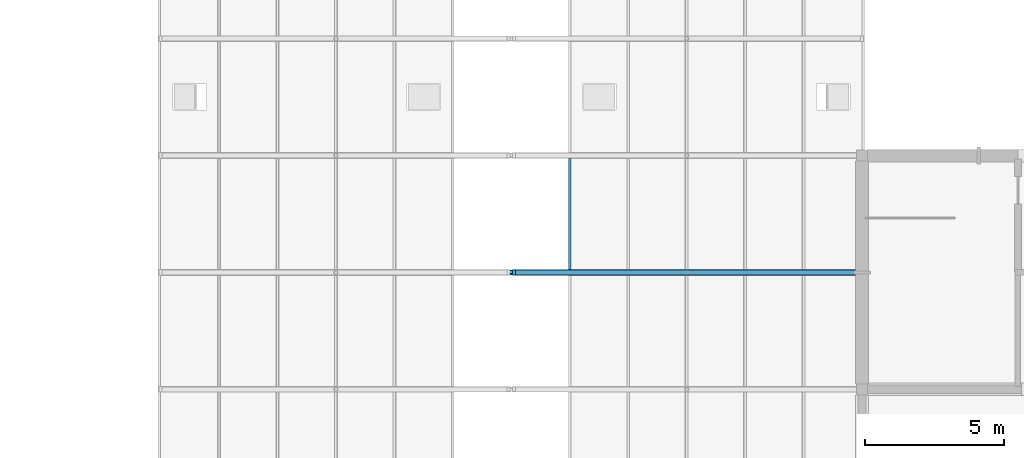
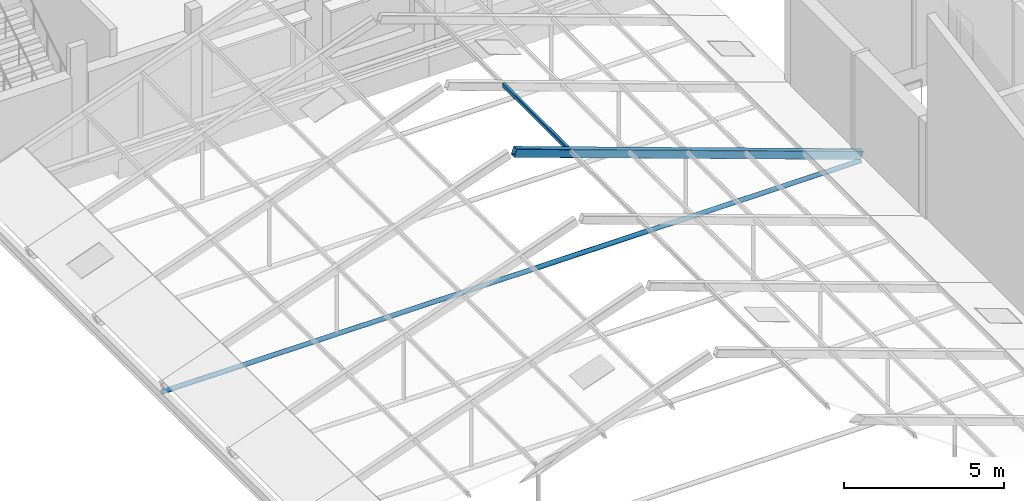
# One storey, part 66 of 116: 3 members.
"""IFC4 building model written with IfcOpenShell, lengths in metres."""

import ifcopenshell
import ifcopenshell.guid

model = None  # the IFC model being written
_history = None  # IfcOwnerHistory: only IFC2X3 demands one
_inside = {}  # id of a spatial element -> (the spatial element, [elements in it])
_under = {}  # id of a project, library or spatial element -> (it, [spatial elements below it])
_declared = {}  # id of a project -> (the project, [libraries it declares])
_typed = {}  # id of a type object -> (the type object, [elements of that type])
_made_of = {}  # id of a material, layer set ... -> (it, [elements and type objects made of it])


def new_model(schema):
    """Start an empty IFC model of exactly this schema.

    Asked for "IFC4X3", IfcOpenShell would pick the latest addendum, in which some entities
    have other attributes; the version numbers below select the first issue.
    IFC2X3 requires an IfcOwnerHistory on every rooted entity: one is made here for all.
    """
    global model, _history
    if schema == "IFC4X3":
        model = ifcopenshell.file(schema_version=(4, 3, 0, 0))
    else:
        model = ifcopenshell.file(schema=schema)
    _inside.clear()
    _under.clear()
    _declared.clear()
    _typed.clear()
    _made_of.clear()
    _history = None
    if model.schema == "IFC2X3":
        org = make("IfcOrganization", Name="unknown")
        user = make(
            "IfcPersonAndOrganization",
            ThePerson=make("IfcPerson", FamilyName="unknown"),
            TheOrganization=org,
        )
        app = make(
            "IfcApplication",
            ApplicationDeveloper=org,
            Version="unknown",
            ApplicationFullName="unknown",
            ApplicationIdentifier="unknown",
        )
        _history = make(
            "IfcOwnerHistory",
            OwningUser=user,
            OwningApplication=app,
            ChangeAction="ADDED",
            CreationDate=0,
        )
    return model


def make(cls, **values):
    """One entity of the class cls with the attributes given. An attribute that is None is left unset."""
    return model.create_entity(
        cls, **{name: value for name, value in values.items() if value is not None}
    )


def rooted(cls, **values):
    """An entity with a GlobalId (a new one), such as an element, a storey or a relation."""
    return make(cls, GlobalId=ifcopenshell.guid.new(), OwnerHistory=_history, **values)


def si_unit(unit_type, name, prefix=None):
    """IfcSIUnit, for example si_unit("LENGTHUNIT", "METRE", prefix="MILLI")."""
    return make("IfcSIUnit", UnitType=unit_type, Prefix=prefix, Name=name)


def assignment(units):
    """IfcUnitAssignment: the units of a project."""
    return None if units is None else make("IfcUnitAssignment", Units=units)


def point(xyz):
    """IfcCartesianPoint."""
    return None if xyz is None else make("IfcCartesianPoint", Coordinates=xyz)


def direction(xyz):
    """IfcDirection."""
    return None if xyz is None else make("IfcDirection", DirectionRatios=xyz)


def frame(location, z_axis=None, x_axis=None):
    """IfcAxis2Placement3D, a coordinate frame: its origin and axes. An axis left out is left unset."""
    return make(
        "IfcAxis2Placement3D",
        Location=point(location),
        Axis=direction(z_axis),
        RefDirection=direction(x_axis),
    )


def frame_2d(location, x_axis=None):
    """IfcAxis2Placement2D, a coordinate frame in the plane: its origin and x axis."""
    return make(
        "IfcAxis2Placement2D", Location=point(location), RefDirection=direction(x_axis)
    )


def origin():
    """The frame at (0, 0, 0) with its axes left unset."""
    return frame((0.0, 0.0, 0.0))


def origin_2d():
    """The frame at (0, 0) in the plane with its x axis left unset."""
    return frame_2d((0.0, 0.0))


def place(relative_to, where):
    """IfcLocalPlacement: puts the frame where relative to a parent placement (None: the world)."""
    return make(
        "IfcLocalPlacement", PlacementRelTo=relative_to, RelativePlacement=where
    )


def context(
    kind, dimensions, precision=None, world=None, true_north=None, identifier=None
):
    """IfcGeometricRepresentationContext, for example the 3D "Model" context."""
    return make(
        "IfcGeometricRepresentationContext",
        ContextIdentifier=identifier,
        ContextType=kind,
        CoordinateSpaceDimension=dimensions,
        Precision=precision,
        WorldCoordinateSystem=world,
        TrueNorth=true_north,
    )


def subcontext(parent, identifier, kind, view, scale=None):
    """IfcGeometricRepresentationSubContext, for example "Body" below "Model"."""
    return make(
        "IfcGeometricRepresentationSubContext",
        ContextIdentifier=identifier,
        ContextType=kind,
        ParentContext=parent,
        TargetScale=scale,
        TargetView=view,
    )


def project(units=None, contexts=None):
    """IfcProject with its units and contexts."""
    return rooted(
        "IfcProject",
        Name="project",
        RepresentationContexts=contexts,
        UnitsInContext=assignment(units),
    )


def spatial(cls, under=None, at=None, **own):
    """A site, building, storey or space (cls), placed at a placement, below another one or the project."""
    s = rooted(cls, ObjectPlacement=at, **own)
    if under is not None:
        _under.setdefault(under.id(), (under, []))[1].append(s)
    return s


def profile(cls, at=None, kind="AREA", **sizes):
    """A parametric profile (cls). Its sizes go by their IFC names, for example OverallWidth=200.0."""
    return make(cls, ProfileType=kind, Position=at, **sizes)


def hollow_rectangle(**sizes):
    """IfcRectangleHollowProfileDef."""
    return profile("IfcRectangleHollowProfileDef", **sizes)


def hollow_circle(**sizes):
    """IfcCircleHollowProfileDef."""
    return profile("IfcCircleHollowProfileDef", **sizes)


def extrude(swept, where, along, depth):
    """IfcExtrudedAreaSolid: the profile swept, set in the frame where, extruded along a direction by depth."""
    return make(
        "IfcExtrudedAreaSolid",
        SweptArea=swept,
        Position=where,
        ExtrudedDirection=direction(along),
        Depth=depth,
    )


def shape(context_of_items, identifier, shape_type, items):
    """IfcShapeRepresentation: the items that make up one representation, for example the "Body"."""
    return make(
        "IfcShapeRepresentation",
        ContextOfItems=context_of_items,
        RepresentationIdentifier=identifier,
        RepresentationType=shape_type,
        Items=items,
    )


def material(Name=None, Category=None):
    """IfcMaterial."""
    return make("IfcMaterial", Name=Name, Category=Category)


def material_profile(
    of_material, cross_section, Name=None, Category=None, Priority=None
):
    """IfcMaterialProfile: a cross section and its material."""
    return make(
        "IfcMaterialProfile",
        Name=Name,
        Material=of_material,
        Profile=cross_section,
        Priority=Priority,
        Category=Category,
    )


def profile_set(profiles, Name=None, composite=None):
    """IfcMaterialProfileSet."""
    return make(
        "IfcMaterialProfileSet",
        Name=Name,
        MaterialProfiles=profiles,
        CompositeProfile=composite,
    )


def made_of(thing, what):
    """Note that an element or type object is made of a material, layer set ...; save() writes the relation."""
    if what is not None:
        _made_of.setdefault(what.id(), (what, []))[1].append(thing)
    return thing


def type_object(cls, material=None, **own):
    """A type object (cls), such as IfcWallType, which elements share."""
    return made_of(rooted(cls, **own), material)


def element(
    cls,
    number,
    at=None,
    inside=None,
    cuts=None,
    type_object=None,
    material=None,
    context=None,
    identifier="Body",
    shape_type=None,
    held_by="IfcProductDefinitionShape",
    body=None,
    shapes=None,
    **own,
):
    """One element of the class cls, such as IfcWall. Its Tag is "e" and its number.

    at: its placement. inside: the storey or other place that contains it. cuts: it is an
    opening in that element (IfcRelVoidsElement). A single representation is given by context,
    identifier, shape_type and body (its items); several are given by shapes. held_by: the class
    of the entity that holds the representations. save() writes the other relations.
    """
    e = rooted(cls, Tag="e%d" % number, ObjectPlacement=at, **own)
    if body is not None:
        shapes = [shape(context, identifier, shape_type, body)]
    if shapes is not None:
        e.Representation = make(held_by, Representations=shapes)
    if inside is not None:
        _inside.setdefault(inside.id(), (inside, []))[1].append(e)
    if cuts is not None:
        rooted(
            "IfcRelVoidsElement", RelatingBuildingElement=cuts, RelatedOpeningElement=e
        )
    if type_object is not None:
        _typed.setdefault(type_object.id(), (type_object, []))[1].append(e)
    return made_of(e, material)


def aggregate(whole, parts):
    """IfcRelAggregates: a whole, such as a stair, and the parts it consists of."""
    return rooted("IfcRelAggregates", RelatingObject=whole, RelatedObjects=parts)


def save(model, path):
    """Write the relations noted so far, then the file.

    IfcRelAggregates (storeys below a building ...), IfcRelContainedInSpatialStructure (elements
    in a storey), IfcRelDefinesByType, IfcRelAssociatesMaterial and IfcRelDeclares: one each for
    every whole, place, type object, material and project.
    """
    for whole, parts in _under.values():
        aggregate(whole, parts)
    for where, things in _inside.values():
        rooted(
            "IfcRelContainedInSpatialStructure",
            RelatedElements=things,
            RelatingStructure=where,
        )
    for kind, things in _typed.values():
        rooted("IfcRelDefinesByType", RelatedObjects=things, RelatingType=kind)
    for what, things in _made_of.values():
        rooted("IfcRelAssociatesMaterial", RelatedObjects=things, RelatingMaterial=what)
    for by, libraries in _declared.values():
        rooted("IfcRelDeclares", RelatingContext=by, RelatedDefinitions=libraries)
    model.write(path)


model = new_model("IFC4")

# Units and contexts
model_context = context("Model", 3, precision=1e-05, world=origin(), true_north=direction((0.0, 1.0)))
body_context = subcontext(model_context, "Body", "Model", "MODEL_VIEW")
ifc_project = project(units=[si_unit("LENGTHUNIT", "METRE"), si_unit("AREAUNIT", "SQUARE_METRE"), si_unit("VOLUMEUNIT", "CUBIC_METRE"), si_unit("PLANEANGLEUNIT", "RADIAN"), si_unit("MASSUNIT", "GRAM", prefix="KILO")], contexts=[model_context])

# Site, building, storey
site_placement = place(None, origin())
site = spatial("IfcSite", under=ifc_project, at=site_placement, CompositionType="ELEMENT")
building_placement = place(site_placement, origin())
building = spatial("IfcBuilding", under=site, at=building_placement, Name="Fescue Hill Polytechnic", CompositionType="ELEMENT")
storey_placement = place(building_placement, frame((0.0, 0.0, 13.5)))
storey = spatial("IfcBuildingStorey", under=building, at=storey_placement, Name="L03", CompositionType="ELEMENT", Elevation=13.5)

# Members
ifc_material = material(Name="Steel 350W (350 MPa)", Category="steel")
ifc_material_profile_1 = material_profile(ifc_material, hollow_rectangle(XDim=0.1015625, YDim=0.15234375, WallThickness=0.00634765625, InnerFilletRadius=0.00634765625, OuterFilletRadius=0.0126953125, at=origin_2d()), Name="Winter garden glazing purlin HSS 152x102x6.4")
ifc_profile_set_1 = profile_set([ifc_material_profile_1], Name="Steel 350W (350 MPa)")
member_type_1 = type_object("IfcMemberType", Name="Winter garden glazing purlin HSS 152x102x6.4", PredefinedType="PURLIN", material=ifc_profile_set_1)
member_1_placement = place(storey_placement, frame((107.100341796875, 96.70166015625, 4.414306640625), z_axis=(0.0, 1.0, 0.0), x_axis=(-1.0, 0.0, 0.0)))
element("IfcMember", 1, at=member_1_placement, inside=storey, type_object=member_type_1, Name="Winter garden glazing purlin E5 bay 12", PredefinedType="PURLIN", context=body_context, shape_type="SweptSolid", body=[
    extrude(hollow_rectangle(XDim=0.1015625, YDim=0.15234375, WallThickness=0.00634765625, InnerFilletRadius=0.00634765625, OuterFilletRadius=0.0126953125, at=origin_2d()), origin(), (0.0, 0.0, 1.0), 3.996826171875),
])
ifc_material_profile_2 = material_profile(ifc_material, hollow_rectangle(XDim=0.203125, YDim=0.3046875, WallThickness=0.009521484375, InnerFilletRadius=0.009521484375, OuterFilletRadius=0.01904296875, at=origin_2d()), Name="Winter garden rafter HSS 305x203x9.5")
ifc_profile_set_2 = profile_set([ifc_material_profile_2], Name="Steel 350W (350 MPa)")
member_type_2 = type_object("IfcMemberType", Name="Winter garden rafter HSS 305x203x9.5", PredefinedType="RAFTER", material=ifc_profile_set_2)
member_2_placement = place(storey_placement, frame((117.60009765625, 96.60009765625, 0.578857421875), z_axis=(-0.941740247025, 0.0, 0.336341057756), x_axis=(0.0, -1.0, 0.0)))
element("IfcMember", 2, at=member_2_placement, inside=storey, type_object=member_type_2, Name="Winter garden rafter E12", PredefinedType="RAFTER", context=body_context, shape_type="SweptSolid", body=[
    extrude(hollow_rectangle(XDim=0.203125, YDim=0.3046875, WallThickness=0.009521484375, InnerFilletRadius=0.009521484375, OuterFilletRadius=0.01904296875, at=origin_2d()), origin(), (0.0, 0.0, 1.0), 13.273193359375),
])
ifc_material_profile_3 = material_profile(ifc_material, hollow_circle(Radius=0.084228515625, WallThickness=0.009521484375, at=origin_2d()), Name="Winter garden tie CHS 168x9.5")
ifc_profile_set_3 = profile_set([ifc_material_profile_3], Name="Steel 350W (350 MPa)")
member_type_3 = type_object("IfcMemberType", Name="Winter garden tie CHS 168x9.5", PredefinedType="STRUT", material=ifc_profile_set_3)
member_3_placement = place(storey_placement, frame((92.39990234375, 96.60009765625, 0.332763671875), z_axis=(1.0, 0.0, 0.0), x_axis=(0.0, 1.0, 0.0)))
element("IfcMember", 3, at=member_3_placement, inside=storey, type_object=member_type_3, Name="Winter garden tie 12", PredefinedType="STRUT", context=body_context, shape_type="SweptSolid", body=[
    extrude(hollow_circle(Radius=0.084228515625, WallThickness=0.009521484375, at=origin_2d()), origin(), (0.0, 0.0, 1.0), 25.2001953125),
])

save(model, "model.ifc")
